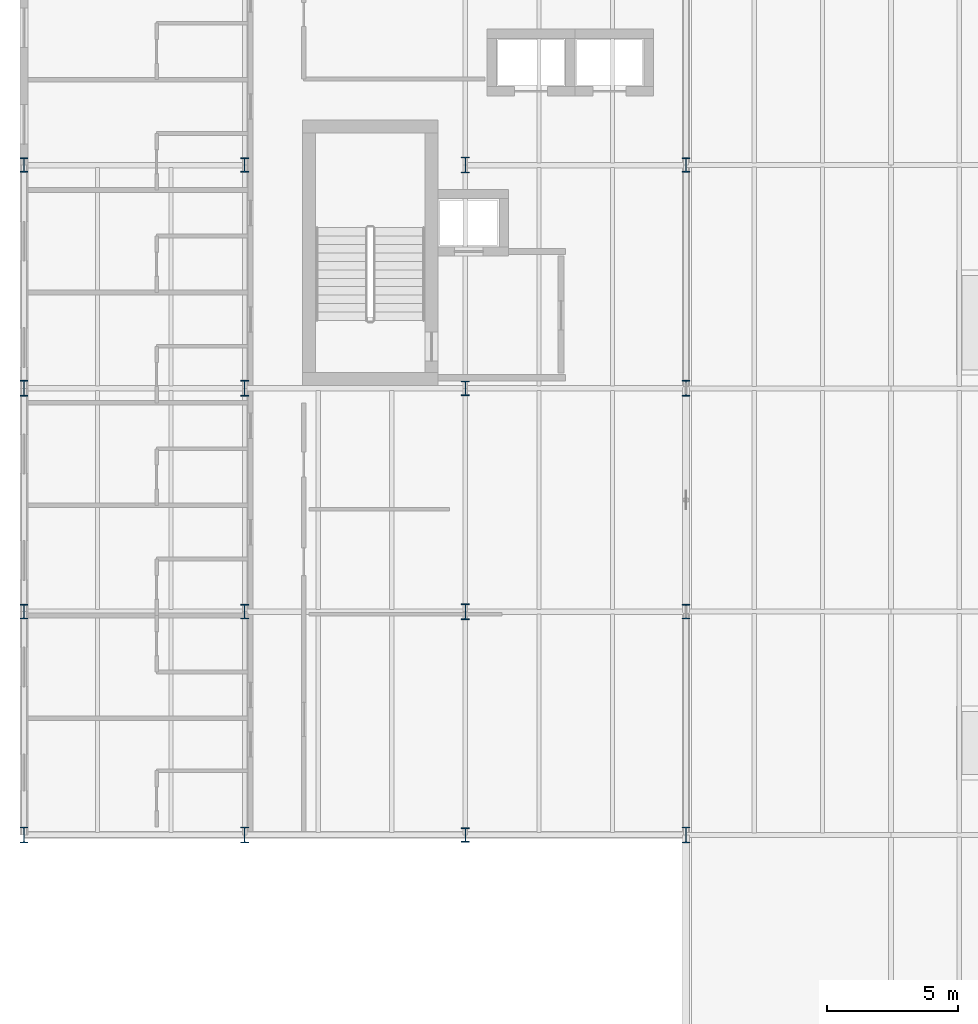
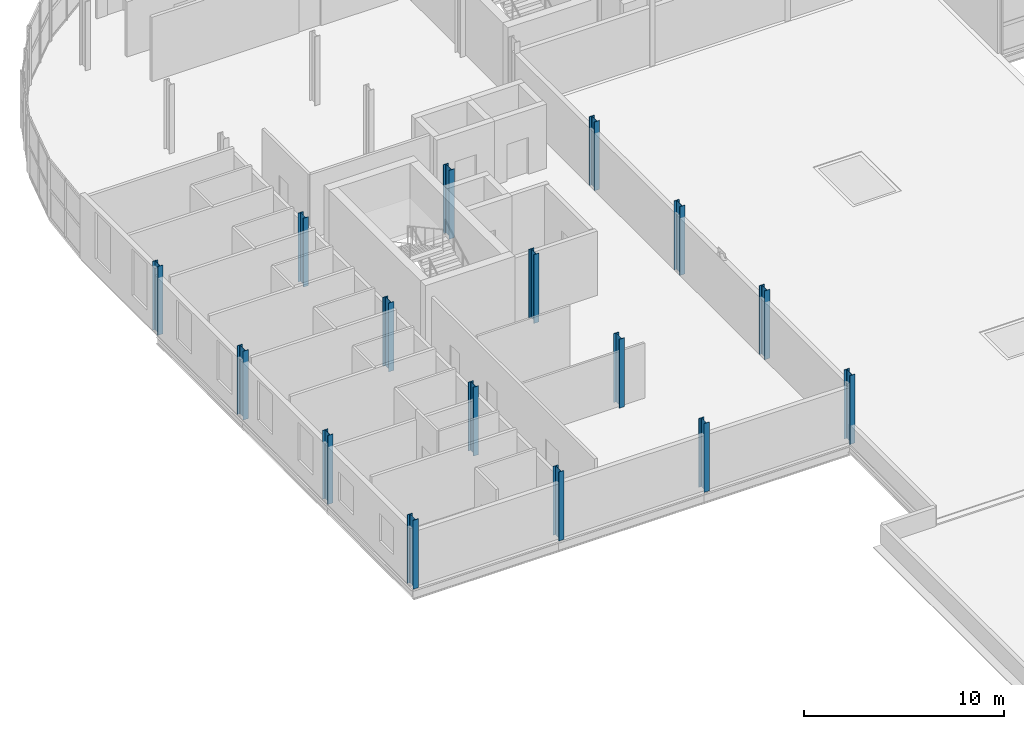
# One storey, part 3 of 58: 16 columns.
"""IFC4 building model written with IfcOpenShell, lengths in metres."""

from ifc_helpers import new_model, si_unit, direction, frame, origin, origin_2d, place, context, subcontext, project, spatial, i_section, extrude, material, material_profile, profile_set, type_object, element, save


model = new_model("IFC4")

# Units and contexts
model_context = context("Model", 3, precision=1e-05, world=origin(), true_north=direction((0.0, 1.0)))
body_context = subcontext(model_context, "Body", "Model", "MODEL_VIEW")
ifc_project = project(units=[si_unit("LENGTHUNIT", "METRE"), si_unit("AREAUNIT", "SQUARE_METRE"), si_unit("VOLUMEUNIT", "CUBIC_METRE"), si_unit("PLANEANGLEUNIT", "RADIAN"), si_unit("MASSUNIT", "GRAM", prefix="KILO")], contexts=[model_context])

# Site, building, storey
site_placement = place(None, origin())
site = spatial("IfcSite", under=ifc_project, at=site_placement, CompositionType="ELEMENT")
building_placement = place(site_placement, origin())
building = spatial("IfcBuilding", under=site, at=building_placement, Name="Sefraquen Railside Congress Hotel", CompositionType="ELEMENT")
storey_placement = place(building_placement, frame((0.0, 0.0, 16.199951171875)))
storey = spatial("IfcBuildingStorey", under=building, at=storey_placement, Name="L03", CompositionType="ELEMENT", Elevation=16.199951171875)

# Columns
ifc_material = material(Name="Steel S355JR", Category="steel")
ifc_material_profile_1 = material_profile(ifc_material, i_section(OverallWidth=0.300048828125, OverallDepth=0.550048828125, WebThickness=0.014892578125, FlangeThickness=0.029052734375, FilletRadius=0.027099609375, at=origin_2d()), Name="HEB 550")
ifc_profile_set_1 = profile_set([ifc_material_profile_1], Name="Steel S355JR")
column_type_1 = type_object("IfcColumnType", Name="TC-HEB-550", PredefinedType="COLUMN", material=ifc_profile_set_1)
for number, where, z_axis, x_axis, name in (
    (1, (0.0, 71.0, 0.0), (0.0, 0.0, 1.0), (1.0, 0.0, 0.0), "Structural column 1-J L03"),
    (2, (0.0, 88.0, 0.0), (0.0, 0.0, 1.0), (1.0, 0.0, 0.0), "Structural column 1-L L03"),
    (3, (8.39990234375, 71.0, 0.0), (0.0, 0.0, 1.0), (1.0, 0.0, 0.0), "Structural column 2-J L03"),
    (4, (8.39990234375, 88.0, 0.0), (0.0, 0.0, 1.0), (1.0, 0.0, 0.0), "Structural column 2-L L03"),
    (5, (16.800048828125, 62.5, 0.0), (0.0, 0.0, 1.0), (1.0, 0.0, 0.0), "Structural column 3-H L03"),
    (6, (16.800048828125, 79.5, 0.0), (0.0, 0.0, 1.0), (1.0, 0.0, 0.0), "Structural column 3-K L03"),
    (7, (25.199951171875, 71.0, 0.0), (0.0, 0.0, 1.0), (1.0, 0.0, 0.0), "Structural column 4-J L03"),
    (8, (25.199951171875, 88.0, 0.0), (0.0, 0.0, 1.0), (1.0, 0.0, 0.0), "Structural column 4-L L03"),
):
    element("IfcColumn", number, at=place(storey_placement, frame(where, z_axis=z_axis, x_axis=x_axis)), inside=storey, type_object=column_type_1, Name=name, PredefinedType="COLUMN", context=body_context, shape_type="SweptSolid", body=[
        extrude(i_section(OverallWidth=0.300048828125, OverallDepth=0.550048828125, WebThickness=0.014892578125, FlangeThickness=0.029052734375, FilletRadius=0.027099609375, at=origin_2d()), origin(), (0.0, 0.0, 1.0), 4.199951171875),
    ])
ifc_material_profile_2 = material_profile(ifc_material, i_section(OverallWidth=0.300048828125, OverallDepth=0.60009765625, WebThickness=0.015380859375, FlangeThickness=0.030029296875, FilletRadius=0.027099609375, at=origin_2d()), Name="HEB 600")
ifc_profile_set_2 = profile_set([ifc_material_profile_2], Name="Steel S355JR")
column_type_2 = type_object("IfcColumnType", Name="TC-HEB-600", PredefinedType="COLUMN", material=ifc_profile_set_2)
for number, where, z_axis, x_axis, name in (
    (9, (0.0, 62.5, 0.0), (0.0, 0.0, 1.0), (1.0, 0.0, 0.0), "Structural column 1-H L03"),
    (10, (0.0, 79.5, 0.0), (0.0, 0.0, 1.0), (1.0, 0.0, 0.0), "Structural column 1-K L03"),
    (11, (8.39990234375, 62.5, 0.0), (0.0, 0.0, 1.0), (1.0, 0.0, 0.0), "Structural column 2-H L03"),
    (12, (8.39990234375, 79.5, 0.0), (0.0, 0.0, 1.0), (1.0, 0.0, 0.0), "Structural column 2-K L03"),
    (13, (16.800048828125, 71.0, 0.0), (0.0, 0.0, 1.0), (1.0, 0.0, 0.0), "Structural column 3-J L03"),
    (14, (16.800048828125, 88.0, 0.0), (0.0, 0.0, 1.0), (1.0, 0.0, 0.0), "Structural column 3-L L03"),
    (15, (25.199951171875, 62.5, 0.0), (0.0, 0.0, 1.0), (1.0, 0.0, 0.0), "Structural column 4-H L03"),
    (16, (25.199951171875, 79.5, 0.0), (0.0, 0.0, 1.0), (1.0, 0.0, 0.0), "Structural column 4-K L03"),
):
    element("IfcColumn", number, at=place(storey_placement, frame(where, z_axis=z_axis, x_axis=x_axis)), inside=storey, type_object=column_type_2, Name=name, PredefinedType="COLUMN", context=body_context, shape_type="SweptSolid", body=[
        extrude(i_section(OverallWidth=0.300048828125, OverallDepth=0.60009765625, WebThickness=0.015380859375, FlangeThickness=0.030029296875, FilletRadius=0.027099609375, at=origin_2d()), origin(), (0.0, 0.0, 1.0), 4.199951171875),
    ])

save(model, "model.ifc")
